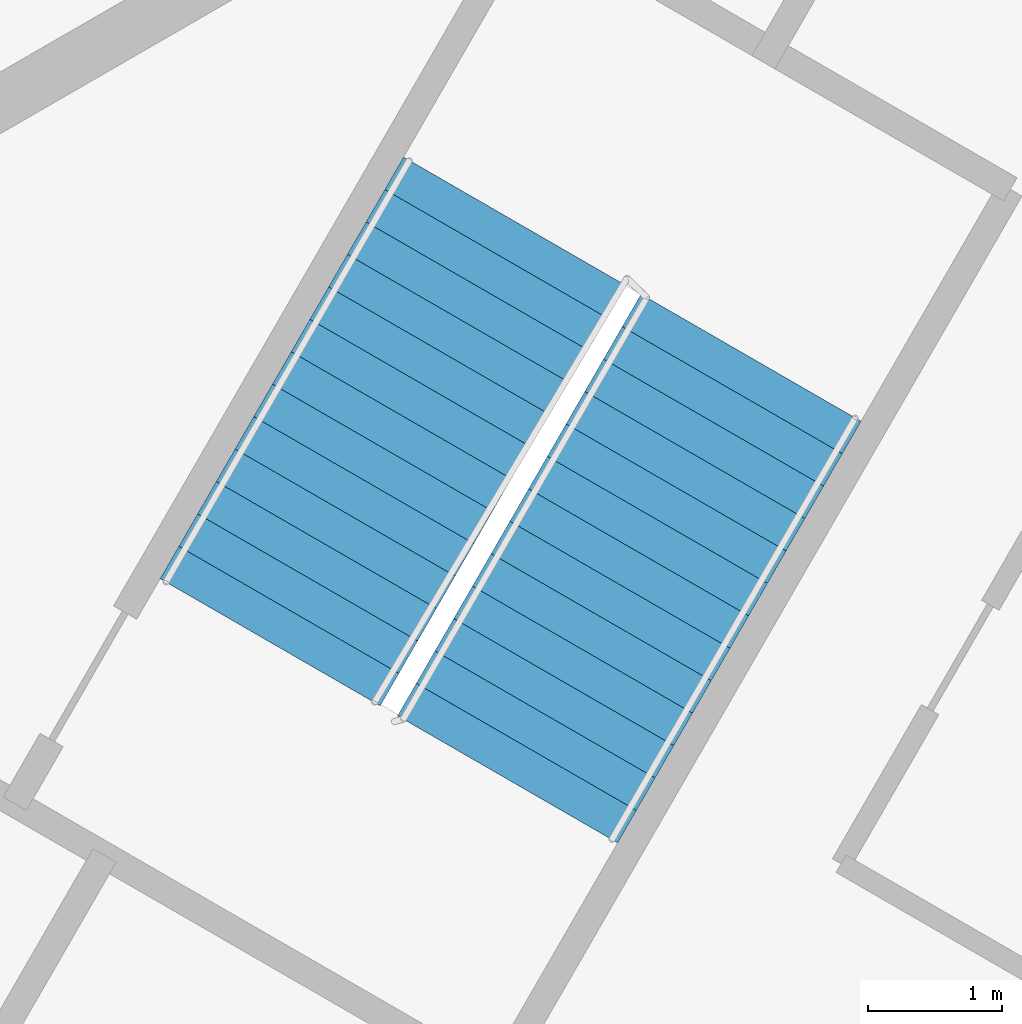
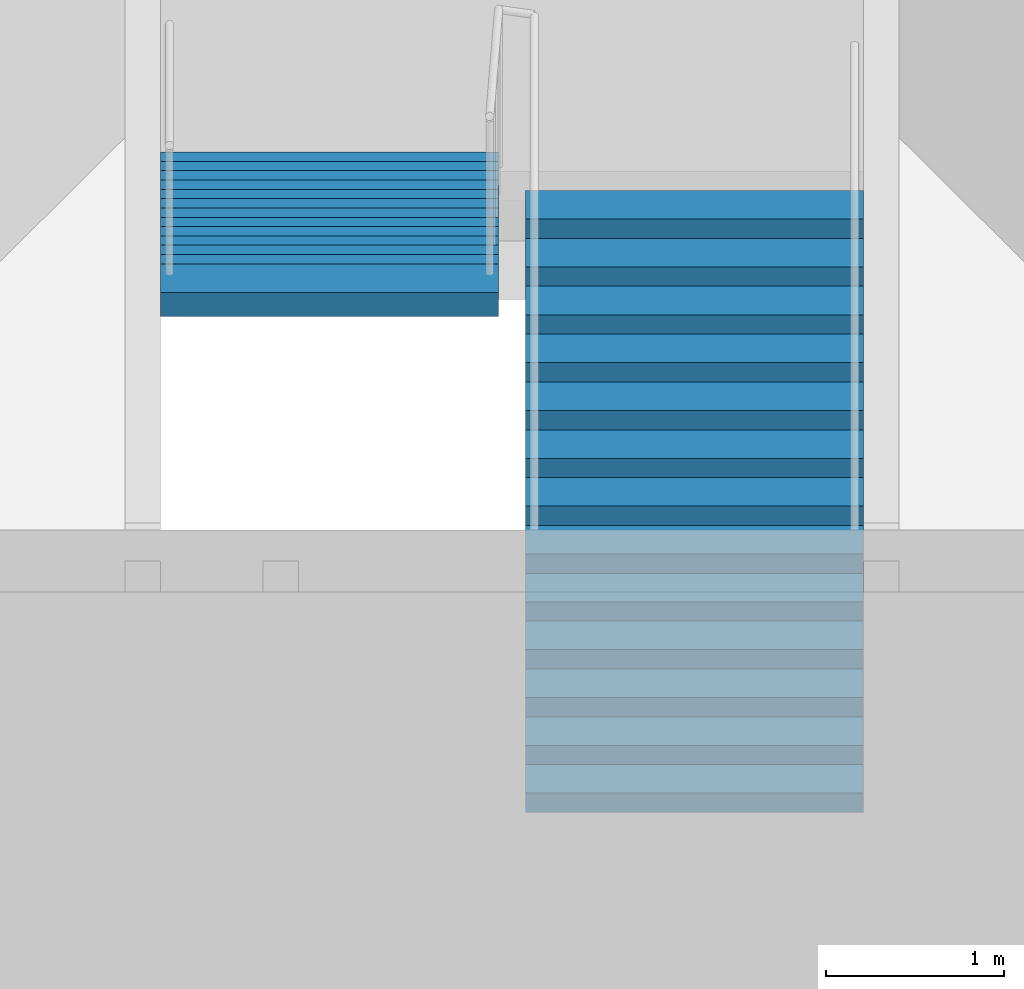
# One storey, part 6 of 9: 2 stair flights, 1 element without a shape of its own.
"""IFC4 building model written with IfcOpenShell, lengths in metres."""

from ifc_helpers import new_model, si_unit, direction, frame, origin, place, context, subcontext, project, spatial, polyline, outline, extrude, material, type_object, element, aggregate, save


model = new_model("IFC4")

# Units and contexts
model_context = context("Model", 3, precision=1e-05, world=origin(), true_north=direction((0.0, 1.0)))
body_context = subcontext(model_context, "Body", "Model", "MODEL_VIEW")
ifc_project = project(units=[si_unit("LENGTHUNIT", "METRE"), si_unit("AREAUNIT", "SQUARE_METRE"), si_unit("VOLUMEUNIT", "CUBIC_METRE"), si_unit("PLANEANGLEUNIT", "RADIAN"), si_unit("MASSUNIT", "GRAM", prefix="KILO")], contexts=[model_context])

# Site, building, storey
site_placement = place(None, origin())
site = spatial("IfcSite", under=ifc_project, at=site_placement, CompositionType="ELEMENT")
building_placement = place(site_placement, origin())
building = spatial("IfcBuilding", under=site, at=building_placement, Name="Jabali Bay Hotel Tower and Convention Centre", CompositionType="ELEMENT")
storey_placement = place(building_placement, frame((0.0, 0.0, 288.60009765625)))
storey = spatial("IfcBuildingStorey", under=building, at=storey_placement, Name="L71", CompositionType="ELEMENT", Elevation=288.60009765625)

# Stair, stair flights
ifc_material = material(Name="Concrete C40", Category="concrete")
stair_type = type_object("IfcStairType", Name="Exit stair 1900", PredefinedType="HALF_TURN_STAIR", material=ifc_material)
stair_placement = place(storey_placement, origin())
stair = element("IfcStair", 1, at=stair_placement, inside=storey, type_object=stair_type, Name="L71 Exit Stair 2", PredefinedType="HALF_TURN_STAIR")
stair_flight_type = type_object("IfcStairFlightType", Name="Stair flight concrete 150", PredefinedType="STRAIGHT", material=ifc_material)
stair_flight_1_placement = place(storey_placement, frame((85.177734375, 95.578369140625, 0.0), z_axis=(0.0, 0.0, 1.0), x_axis=(0.5, 0.866025403784, 0.0)))
stair_flight_1 = element("IfcStairFlight", 2, at=stair_flight_1_placement, type_object=stair_flight_type, Name="ST2 flight 1", NumberOfRisers=14, NumberOfTreads=13, PredefinedType="STRAIGHT", RiserHeight=0.132142857, TreadLength=0.28, context=body_context, shape_type="SweptSolid", body=[
    extrude(outline(polyline([(0.0, 0.0), (0.0, 0.132080078125), (0.280029296875, 0.132080078125), (0.280029296875, 0.264404296875), (0.56005859375, 0.264404296875), (0.56005859375, 0.396484375), (0.840087890625, 0.396484375), (0.840087890625, 0.528564453125), (1.1201171875, 0.528564453125), (1.1201171875, 0.66064453125), (1.39990234375, 0.66064453125), (1.39990234375, 0.79296875), (1.679931640625, 0.79296875), (1.679931640625, 0.925048828125), (1.9599609375, 0.925048828125), (1.9599609375, 1.05712890625), (2.239990234375, 1.05712890625), (2.239990234375, 1.189208984375), (2.52001953125, 1.189208984375), (2.52001953125, 1.321533203125), (2.800048828125, 1.321533203125), (2.800048828125, 1.45361328125), (3.080078125, 1.45361328125), (3.080078125, 1.585693359375), (3.360107421875, 1.585693359375), (3.360107421875, 1.7177734375), (3.639892578125, 1.7177734375), (3.639892578125, 1.85009765625), (3.639892578125, 1.552001953125), (0.351318359375, 0.0), (0.0, 0.0)])), frame((0.0, 0.949951171875, 0.0), z_axis=(0.0, -1.0, 0.0), x_axis=(1.0, 0.0, 0.0)), (0.0, 0.0, 1.0), 1.89990234375),
])
stair_flight_2_placement = place(storey_placement, frame((85.222412109375, 99.755615234375, 1.849853515625), z_axis=(0.0, 0.0, 1.0), x_axis=(-0.5, -0.866025403784, 0.0)))
stair_flight_2 = element("IfcStairFlight", 3, at=stair_flight_2_placement, type_object=stair_flight_type, Name="ST2 flight 2", NumberOfRisers=14, NumberOfTreads=13, PredefinedType="STRAIGHT", RiserHeight=0.132142857, TreadLength=0.28, context=body_context, shape_type="SweptSolid", body=[
    extrude(outline(polyline([(0.0, 0.0), (0.0, 0.132080078125), (0.280029296875, 0.132080078125), (0.280029296875, 0.264404296875), (0.56005859375, 0.264404296875), (0.56005859375, 0.396484375), (0.840087890625, 0.396484375), (0.840087890625, 0.528564453125), (1.1201171875, 0.528564453125), (1.1201171875, 0.66064453125), (1.39990234375, 0.66064453125), (1.39990234375, 0.79296875), (1.679931640625, 0.79296875), (1.679931640625, 0.925048828125), (1.9599609375, 0.925048828125), (1.9599609375, 1.05712890625), (2.239990234375, 1.05712890625), (2.239990234375, 1.189208984375), (2.52001953125, 1.189208984375), (2.52001953125, 1.321533203125), (2.800048828125, 1.321533203125), (2.800048828125, 1.45361328125), (3.080078125, 1.45361328125), (3.080078125, 1.585693359375), (3.360107421875, 1.585693359375), (3.360107421875, 1.7177734375), (3.639892578125, 1.7177734375), (3.639892578125, 1.85009765625), (3.639892578125, 1.552001953125), (0.351318359375, 0.0), (0.0, 0.0)])), frame((0.0, 0.949951171875, 0.0), z_axis=(0.0, -1.0, 0.0), x_axis=(1.0, 0.0, 0.0)), (0.0, 0.0, 1.0), 1.89990234375),
])
aggregate(stair, [stair_flight_1, stair_flight_2])

save(model, "model.ifc")
